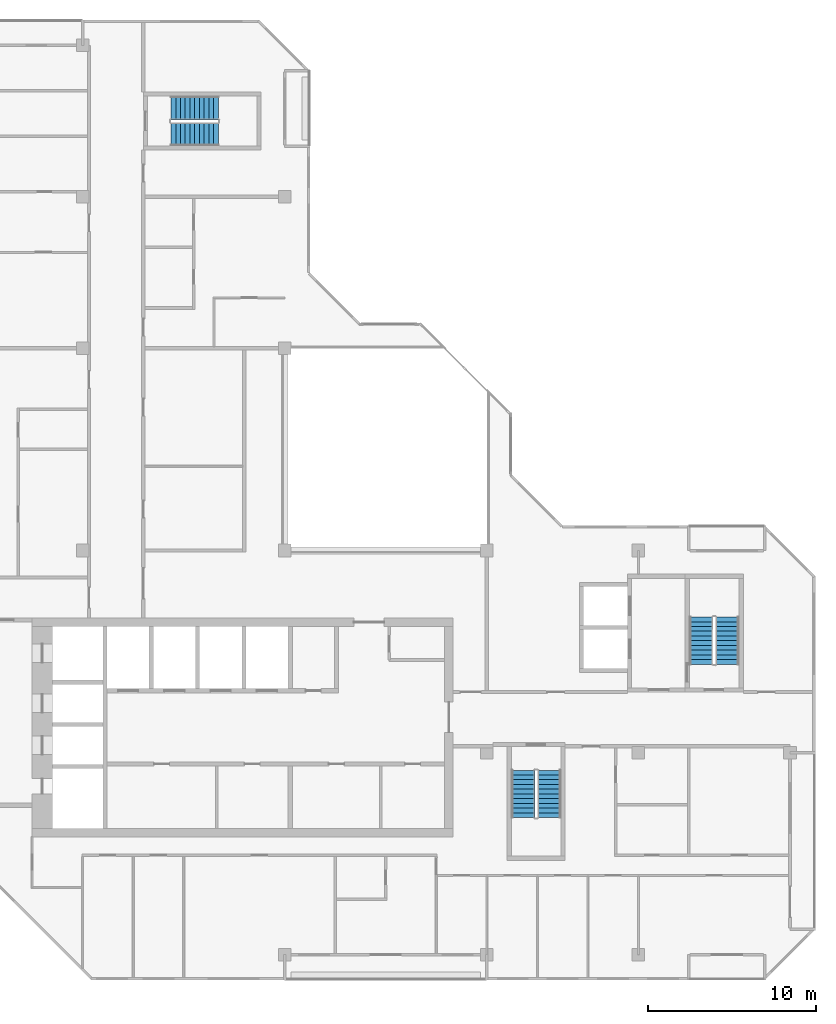
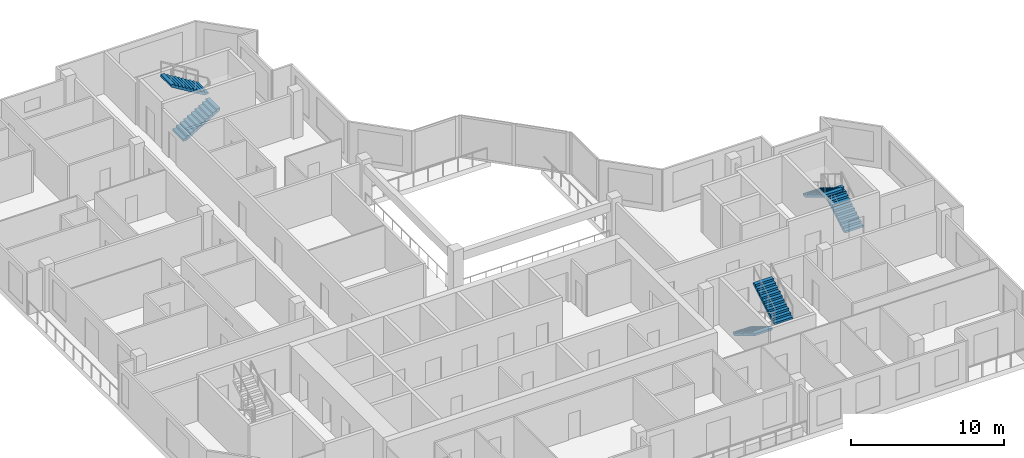
# One storey, part 10 of 12: 6 stair flights, 3 elements without a shape of their own.
"""IFC4 building model written with IfcOpenShell, lengths in metres."""

import ifcopenshell
import ifcopenshell.guid

model = None  # the IFC model being written
_history = None  # IfcOwnerHistory: only IFC2X3 demands one
_inside = {}  # id of a spatial element -> (the spatial element, [elements in it])
_under = {}  # id of a project, library or spatial element -> (it, [spatial elements below it])
_declared = {}  # id of a project -> (the project, [libraries it declares])
_typed = {}  # id of a type object -> (the type object, [elements of that type])
_made_of = {}  # id of a material, layer set ... -> (it, [elements and type objects made of it])


def new_model(schema):
    """Start an empty IFC model of exactly this schema.

    Asked for "IFC4X3", IfcOpenShell would pick the latest addendum, in which some entities
    have other attributes; the version numbers below select the first issue.
    IFC2X3 requires an IfcOwnerHistory on every rooted entity: one is made here for all.
    """
    global model, _history
    if schema == "IFC4X3":
        model = ifcopenshell.file(schema_version=(4, 3, 0, 0))
    else:
        model = ifcopenshell.file(schema=schema)
    _inside.clear()
    _under.clear()
    _declared.clear()
    _typed.clear()
    _made_of.clear()
    _history = None
    if model.schema == "IFC2X3":
        org = make("IfcOrganization", Name="unknown")
        user = make(
            "IfcPersonAndOrganization",
            ThePerson=make("IfcPerson", FamilyName="unknown"),
            TheOrganization=org,
        )
        app = make(
            "IfcApplication",
            ApplicationDeveloper=org,
            Version="unknown",
            ApplicationFullName="unknown",
            ApplicationIdentifier="unknown",
        )
        _history = make(
            "IfcOwnerHistory",
            OwningUser=user,
            OwningApplication=app,
            ChangeAction="ADDED",
            CreationDate=0,
        )
    return model


def make(cls, **values):
    """One entity of the class cls with the attributes given. An attribute that is None is left unset."""
    return model.create_entity(
        cls, **{name: value for name, value in values.items() if value is not None}
    )


def rooted(cls, **values):
    """An entity with a GlobalId (a new one), such as an element, a storey or a relation."""
    return make(cls, GlobalId=ifcopenshell.guid.new(), OwnerHistory=_history, **values)


def si_unit(unit_type, name, prefix=None):
    """IfcSIUnit, for example si_unit("LENGTHUNIT", "METRE", prefix="MILLI")."""
    return make("IfcSIUnit", UnitType=unit_type, Prefix=prefix, Name=name)


def assignment(units):
    """IfcUnitAssignment: the units of a project."""
    return None if units is None else make("IfcUnitAssignment", Units=units)


def point(xyz):
    """IfcCartesianPoint."""
    return None if xyz is None else make("IfcCartesianPoint", Coordinates=xyz)


def direction(xyz):
    """IfcDirection."""
    return None if xyz is None else make("IfcDirection", DirectionRatios=xyz)


def frame(location, z_axis=None, x_axis=None):
    """IfcAxis2Placement3D, a coordinate frame: its origin and axes. An axis left out is left unset."""
    return make(
        "IfcAxis2Placement3D",
        Location=point(location),
        Axis=direction(z_axis),
        RefDirection=direction(x_axis),
    )


def origin():
    """The frame at (0, 0, 0) with its axes left unset."""
    return frame((0.0, 0.0, 0.0))


def place(relative_to, where):
    """IfcLocalPlacement: puts the frame where relative to a parent placement (None: the world)."""
    return make(
        "IfcLocalPlacement", PlacementRelTo=relative_to, RelativePlacement=where
    )


def context(
    kind, dimensions, precision=None, world=None, true_north=None, identifier=None
):
    """IfcGeometricRepresentationContext, for example the 3D "Model" context."""
    return make(
        "IfcGeometricRepresentationContext",
        ContextIdentifier=identifier,
        ContextType=kind,
        CoordinateSpaceDimension=dimensions,
        Precision=precision,
        WorldCoordinateSystem=world,
        TrueNorth=true_north,
    )


def subcontext(parent, identifier, kind, view, scale=None):
    """IfcGeometricRepresentationSubContext, for example "Body" below "Model"."""
    return make(
        "IfcGeometricRepresentationSubContext",
        ContextIdentifier=identifier,
        ContextType=kind,
        ParentContext=parent,
        TargetScale=scale,
        TargetView=view,
    )


def project(units=None, contexts=None):
    """IfcProject with its units and contexts."""
    return rooted(
        "IfcProject",
        Name="project",
        RepresentationContexts=contexts,
        UnitsInContext=assignment(units),
    )


def spatial(cls, under=None, at=None, **own):
    """A site, building, storey or space (cls), placed at a placement, below another one or the project."""
    s = rooted(cls, ObjectPlacement=at, **own)
    if under is not None:
        _under.setdefault(under.id(), (under, []))[1].append(s)
    return s


def polyline(points):
    """IfcPolyline through the points."""
    return make("IfcPolyline", Points=[point(p) for p in points])


def outline(outer, holes=None, kind="AREA"):
    """IfcArbitraryClosedProfileDef: a profile drawn as a closed curve; with holes, ...WithVoids."""
    if holes is None:
        return make("IfcArbitraryClosedProfileDef", ProfileType=kind, OuterCurve=outer)
    return make(
        "IfcArbitraryProfileDefWithVoids",
        ProfileType=kind,
        OuterCurve=outer,
        InnerCurves=holes,
    )


def extrude(swept, where, along, depth):
    """IfcExtrudedAreaSolid: the profile swept, set in the frame where, extruded along a direction by depth."""
    return make(
        "IfcExtrudedAreaSolid",
        SweptArea=swept,
        Position=where,
        ExtrudedDirection=direction(along),
        Depth=depth,
    )


def shape(context_of_items, identifier, shape_type, items):
    """IfcShapeRepresentation: the items that make up one representation, for example the "Body"."""
    return make(
        "IfcShapeRepresentation",
        ContextOfItems=context_of_items,
        RepresentationIdentifier=identifier,
        RepresentationType=shape_type,
        Items=items,
    )


def material(Name=None, Category=None):
    """IfcMaterial."""
    return make("IfcMaterial", Name=Name, Category=Category)


def made_of(thing, what):
    """Note that an element or type object is made of a material, layer set ...; save() writes the relation."""
    if what is not None:
        _made_of.setdefault(what.id(), (what, []))[1].append(thing)
    return thing


def type_object(cls, material=None, **own):
    """A type object (cls), such as IfcWallType, which elements share."""
    return made_of(rooted(cls, **own), material)


def element(
    cls,
    number,
    at=None,
    inside=None,
    cuts=None,
    type_object=None,
    material=None,
    context=None,
    identifier="Body",
    shape_type=None,
    held_by="IfcProductDefinitionShape",
    body=None,
    shapes=None,
    **own,
):
    """One element of the class cls, such as IfcWall. Its Tag is "e" and its number.

    at: its placement. inside: the storey or other place that contains it. cuts: it is an
    opening in that element (IfcRelVoidsElement). A single representation is given by context,
    identifier, shape_type and body (its items); several are given by shapes. held_by: the class
    of the entity that holds the representations. save() writes the other relations.
    """
    e = rooted(cls, Tag="e%d" % number, ObjectPlacement=at, **own)
    if body is not None:
        shapes = [shape(context, identifier, shape_type, body)]
    if shapes is not None:
        e.Representation = make(held_by, Representations=shapes)
    if inside is not None:
        _inside.setdefault(inside.id(), (inside, []))[1].append(e)
    if cuts is not None:
        rooted(
            "IfcRelVoidsElement", RelatingBuildingElement=cuts, RelatedOpeningElement=e
        )
    if type_object is not None:
        _typed.setdefault(type_object.id(), (type_object, []))[1].append(e)
    return made_of(e, material)


def aggregate(whole, parts):
    """IfcRelAggregates: a whole, such as a stair, and the parts it consists of."""
    return rooted("IfcRelAggregates", RelatingObject=whole, RelatedObjects=parts)


def save(model, path):
    """Write the relations noted so far, then the file.

    IfcRelAggregates (storeys below a building ...), IfcRelContainedInSpatialStructure (elements
    in a storey), IfcRelDefinesByType, IfcRelAssociatesMaterial and IfcRelDeclares: one each for
    every whole, place, type object, material and project.
    """
    for whole, parts in _under.values():
        aggregate(whole, parts)
    for where, things in _inside.values():
        rooted(
            "IfcRelContainedInSpatialStructure",
            RelatedElements=things,
            RelatingStructure=where,
        )
    for kind, things in _typed.values():
        rooted("IfcRelDefinesByType", RelatedObjects=things, RelatingType=kind)
    for what, things in _made_of.values():
        rooted("IfcRelAssociatesMaterial", RelatedObjects=things, RelatingMaterial=what)
    for by, libraries in _declared.values():
        rooted("IfcRelDeclares", RelatingContext=by, RelatedDefinitions=libraries)
    model.write(path)


model = new_model("IFC4")

# Units and contexts
model_context = context("Model", 3, precision=1e-05, world=origin(), true_north=direction((0.0, 1.0)))
body_context = subcontext(model_context, "Body", "Model", "MODEL_VIEW")
ifc_project = project(units=[si_unit("LENGTHUNIT", "METRE"), si_unit("AREAUNIT", "SQUARE_METRE"), si_unit("VOLUMEUNIT", "CUBIC_METRE"), si_unit("PLANEANGLEUNIT", "RADIAN"), si_unit("MASSUNIT", "GRAM", prefix="KILO")], contexts=[model_context])

# Site, building, storey
site_placement = place(None, origin())
site = spatial("IfcSite", under=ifc_project, at=site_placement, CompositionType="ELEMENT")
building_placement = place(site_placement, origin())
building = spatial("IfcBuilding", under=site, at=building_placement, Name="Chenar Terraces", CompositionType="ELEMENT")
storey_placement = place(building_placement, frame((0.0, 0.0, 357.64990234375)))
storey = spatial("IfcBuildingStorey", under=building, at=storey_placement, Name="L83", CompositionType="ELEMENT", Elevation=357.64990234375)

# Stair, stair flights
ifc_material_1 = material(Name="Reinforced concrete C40/50", Category="concrete")
stair_type = type_object("IfcStairType", Name="Core stair 1400 half-turn", PredefinedType="HALF_TURN_STAIR", material=ifc_material_1)
placement = place(storey_placement, origin())
stair_1 = element("IfcStair", 1, at=placement, inside=storey, type_object=stair_type, Name="L83 Stair 2", PredefinedType="HALF_TURN_STAIR")
ifc_material_2 = material(Name="Reinforced concrete C40/50", Category="concrete")
stair_flight_type = type_object("IfcStairFlightType", Name="Core stair flight 1400", PredefinedType="STRAIGHT", material=ifc_material_2)
stair_flight_1_placement = place(storey_placement, frame((38.14990234375, 10.949951171875, 0.0), z_axis=(0.0, 0.0, 1.0), x_axis=(0.0, -1.0, 0.0)))
stair_flight_1 = element("IfcStairFlight", 2, at=stair_flight_1_placement, type_object=stair_flight_type, Name="ST2 flight 1", NumberOfRisers=11, NumberOfTreads=10, PredefinedType="STRAIGHT", RiserHeight=0.170454545, TreadLength=0.28, context=body_context, shape_type="SweptSolid", body=[
    extrude(outline(polyline([(-0.0029296875, 0.0), (-0.0029296875, 0.17041015625), (0.0, 0.17041015625), (0.280029296875, 0.17041015625), (0.280029296875, 0.3408203125), (0.56005859375, 0.3408203125), (0.56005859375, 0.511474609375), (0.840087890625, 0.511474609375), (0.840087890625, 0.681884765625), (1.1201171875, 0.681884765625), (1.1201171875, 0.852294921875), (1.39990234375, 0.852294921875), (1.39990234375, 1.022705078125), (1.679931640625, 1.022705078125), (1.679931640625, 1.193115234375), (1.9599609375, 1.193115234375), (1.9599609375, 1.363525390625), (2.239990234375, 1.363525390625), (2.239990234375, 1.5341796875), (2.52001953125, 1.5341796875), (2.52001953125, 1.70458984375), (2.800048828125, 1.70458984375), (2.802978515625, 1.70458984375), (2.802978515625, 1.529052734375), (2.800048828125, 1.529052734375), (0.288330078125, 0.0), (-0.0029296875, 0.0)])), frame((0.0, 0.699951171875, 0.0), z_axis=(0.0, -1.0, 0.0), x_axis=(1.0, 0.0, 0.0)), (0.0, 0.0, 1.0), 1.39990234375),
])
stair_flight_2_placement = place(storey_placement, frame((39.699951171875, 8.14990234375, 1.875), z_axis=(0.0, 0.0, 1.0), x_axis=(0.0, 1.0, 0.0)))
stair_flight_2 = element("IfcStairFlight", 3, at=stair_flight_2_placement, type_object=stair_flight_type, Name="ST2 flight 2", NumberOfRisers=11, NumberOfTreads=10, PredefinedType="STRAIGHT", RiserHeight=0.170454545, TreadLength=0.28, context=body_context, shape_type="SweptSolid", body=[
    extrude(outline(polyline([(-0.0029296875, 0.0), (-0.0029296875, 0.17041015625), (0.0, 0.17041015625), (0.280029296875, 0.17041015625), (0.280029296875, 0.3408203125), (0.56005859375, 0.3408203125), (0.56005859375, 0.511474609375), (0.840087890625, 0.511474609375), (0.840087890625, 0.681884765625), (1.1201171875, 0.681884765625), (1.1201171875, 0.852294921875), (1.39990234375, 0.852294921875), (1.39990234375, 1.022705078125), (1.679931640625, 1.022705078125), (1.679931640625, 1.193115234375), (1.9599609375, 1.193115234375), (1.9599609375, 1.363525390625), (2.239990234375, 1.363525390625), (2.239990234375, 1.5341796875), (2.52001953125, 1.5341796875), (2.52001953125, 1.70458984375), (2.800048828125, 1.70458984375), (2.802978515625, 1.70458984375), (2.802978515625, 1.529052734375), (2.800048828125, 1.529052734375), (0.288330078125, 0.0), (-0.0029296875, 0.0)])), frame((0.0, 0.699951171875, 0.0), z_axis=(0.0, -1.0, 0.0), x_axis=(1.0, 0.0, 0.0)), (0.0, 0.0, 1.0), 1.39990234375),
])
aggregate(stair_1, [stair_flight_1, stair_flight_2])

stair_2 = element("IfcStair", 4, at=placement, inside=storey, type_object=stair_type, Name="L83 Stair 3", PredefinedType="HALF_TURN_STAIR")
stair_flight_3_placement = place(storey_placement, frame((50.27490234375, 17.25, 0.0), z_axis=(0.0, 0.0, 1.0), x_axis=(0.0, 1.0, 0.0)))
stair_flight_3 = element("IfcStairFlight", 5, at=stair_flight_3_placement, type_object=stair_flight_type, Name="ST3 flight 1", NumberOfRisers=11, NumberOfTreads=10, PredefinedType="STRAIGHT", RiserHeight=0.170454545, TreadLength=0.28, context=body_context, shape_type="SweptSolid", body=[
    extrude(outline(polyline([(-0.0029296875, 0.0), (-0.0029296875, 0.17041015625), (0.0, 0.17041015625), (0.280029296875, 0.17041015625), (0.280029296875, 0.3408203125), (0.56005859375, 0.3408203125), (0.56005859375, 0.511474609375), (0.840087890625, 0.511474609375), (0.840087890625, 0.681884765625), (1.1201171875, 0.681884765625), (1.1201171875, 0.852294921875), (1.39990234375, 0.852294921875), (1.39990234375, 1.022705078125), (1.679931640625, 1.022705078125), (1.679931640625, 1.193115234375), (1.9599609375, 1.193115234375), (1.9599609375, 1.363525390625), (2.239990234375, 1.363525390625), (2.239990234375, 1.5341796875), (2.52001953125, 1.5341796875), (2.52001953125, 1.70458984375), (2.800048828125, 1.70458984375), (2.802978515625, 1.70458984375), (2.802978515625, 1.529052734375), (2.800048828125, 1.529052734375), (0.288330078125, 0.0), (-0.0029296875, 0.0)])), frame((0.0, 0.699951171875, 0.0), z_axis=(0.0, -1.0, 0.0), x_axis=(1.0, 0.0, 0.0)), (0.0, 0.0, 1.0), 1.39990234375),
])
stair_flight_4_placement = place(storey_placement, frame((48.72509765625, 20.050048828125, 1.875), z_axis=(0.0, 0.0, 1.0), x_axis=(0.0, -1.0, 0.0)))
stair_flight_4 = element("IfcStairFlight", 6, at=stair_flight_4_placement, type_object=stair_flight_type, Name="ST3 flight 2", NumberOfRisers=11, NumberOfTreads=10, PredefinedType="STRAIGHT", RiserHeight=0.170454545, TreadLength=0.28, context=body_context, shape_type="SweptSolid", body=[
    extrude(outline(polyline([(-0.0029296875, 0.0), (-0.0029296875, 0.17041015625), (0.0, 0.17041015625), (0.280029296875, 0.17041015625), (0.280029296875, 0.3408203125), (0.56005859375, 0.3408203125), (0.56005859375, 0.511474609375), (0.840087890625, 0.511474609375), (0.840087890625, 0.681884765625), (1.1201171875, 0.681884765625), (1.1201171875, 0.852294921875), (1.39990234375, 0.852294921875), (1.39990234375, 1.022705078125), (1.679931640625, 1.022705078125), (1.679931640625, 1.193115234375), (1.9599609375, 1.193115234375), (1.9599609375, 1.363525390625), (2.239990234375, 1.363525390625), (2.239990234375, 1.5341796875), (2.52001953125, 1.5341796875), (2.52001953125, 1.70458984375), (2.800048828125, 1.70458984375), (2.802978515625, 1.70458984375), (2.802978515625, 1.529052734375), (2.800048828125, 1.529052734375), (0.288330078125, 0.0), (-0.0029296875, 0.0)])), frame((0.0, 0.699951171875, 0.0), z_axis=(0.0, -1.0, 0.0), x_axis=(1.0, 0.0, 0.0)), (0.0, 0.0, 1.0), 1.39990234375),
])
aggregate(stair_2, [stair_flight_3, stair_flight_4])

stair_3 = element("IfcStair", 7, at=placement, inside=storey, type_object=stair_type, Name="L83 Stair 4", PredefinedType="HALF_TURN_STAIR")
stair_flight_5_placement = place(storey_placement, frame((17.25, 48.72509765625, 0.0), z_axis=(0.0, 0.0, 1.0), x_axis=(1.0, 0.0, 0.0)))
stair_flight_5 = element("IfcStairFlight", 8, at=stair_flight_5_placement, type_object=stair_flight_type, Name="ST4 flight 1", NumberOfRisers=11, NumberOfTreads=10, PredefinedType="STRAIGHT", RiserHeight=0.170454545, TreadLength=0.28, context=body_context, shape_type="SweptSolid", body=[
    extrude(outline(polyline([(-0.0029296875, 0.0), (-0.0029296875, 0.17041015625), (0.0, 0.17041015625), (0.280029296875, 0.17041015625), (0.280029296875, 0.3408203125), (0.56005859375, 0.3408203125), (0.56005859375, 0.511474609375), (0.840087890625, 0.511474609375), (0.840087890625, 0.681884765625), (1.1201171875, 0.681884765625), (1.1201171875, 0.852294921875), (1.39990234375, 0.852294921875), (1.39990234375, 1.022705078125), (1.679931640625, 1.022705078125), (1.679931640625, 1.193115234375), (1.9599609375, 1.193115234375), (1.9599609375, 1.363525390625), (2.239990234375, 1.363525390625), (2.239990234375, 1.5341796875), (2.52001953125, 1.5341796875), (2.52001953125, 1.70458984375), (2.800048828125, 1.70458984375), (2.802978515625, 1.70458984375), (2.802978515625, 1.529052734375), (2.800048828125, 1.529052734375), (0.288330078125, 0.0), (-0.0029296875, 0.0)])), frame((0.0, 0.699951171875, 0.0), z_axis=(0.0, -1.0, 0.0), x_axis=(1.0, 0.0, 0.0)), (0.0, 0.0, 1.0), 1.39990234375),
])
stair_flight_6_placement = place(storey_placement, frame((20.050048828125, 50.27490234375, 1.875), z_axis=(0.0, 0.0, 1.0), x_axis=(-1.0, 0.0, 0.0)))
stair_flight_6 = element("IfcStairFlight", 9, at=stair_flight_6_placement, type_object=stair_flight_type, Name="ST4 flight 2", NumberOfRisers=11, NumberOfTreads=10, PredefinedType="STRAIGHT", RiserHeight=0.170454545, TreadLength=0.28, context=body_context, shape_type="SweptSolid", body=[
    extrude(outline(polyline([(-0.0029296875, 0.0), (-0.0029296875, 0.17041015625), (0.0, 0.17041015625), (0.280029296875, 0.17041015625), (0.280029296875, 0.3408203125), (0.56005859375, 0.3408203125), (0.56005859375, 0.511474609375), (0.840087890625, 0.511474609375), (0.840087890625, 0.681884765625), (1.1201171875, 0.681884765625), (1.1201171875, 0.852294921875), (1.39990234375, 0.852294921875), (1.39990234375, 1.022705078125), (1.679931640625, 1.022705078125), (1.679931640625, 1.193115234375), (1.9599609375, 1.193115234375), (1.9599609375, 1.363525390625), (2.239990234375, 1.363525390625), (2.239990234375, 1.5341796875), (2.52001953125, 1.5341796875), (2.52001953125, 1.70458984375), (2.800048828125, 1.70458984375), (2.802978515625, 1.70458984375), (2.802978515625, 1.529052734375), (2.800048828125, 1.529052734375), (0.288330078125, 0.0), (-0.0029296875, 0.0)])), frame((0.0, 0.699951171875, 0.0), z_axis=(0.0, -1.0, 0.0), x_axis=(1.0, 0.0, 0.0)), (0.0, 0.0, 1.0), 1.39990234375),
])
aggregate(stair_3, [stair_flight_5, stair_flight_6])

save(model, "model.ifc")
